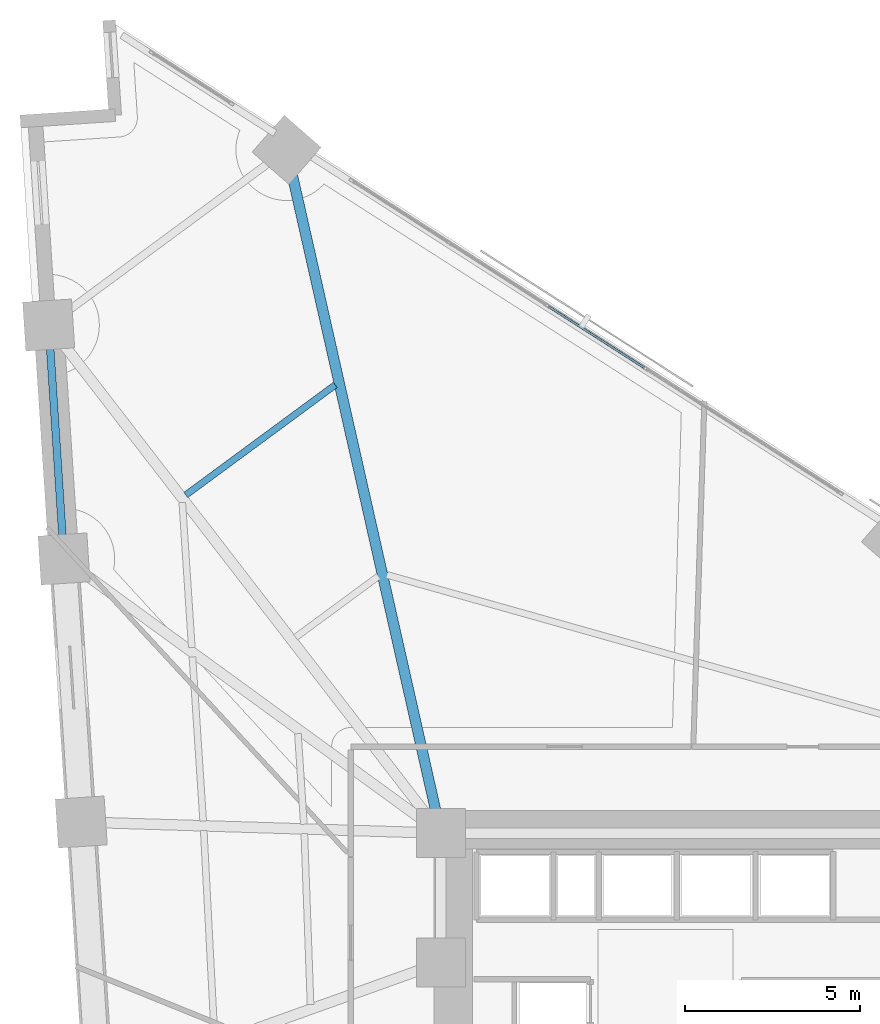
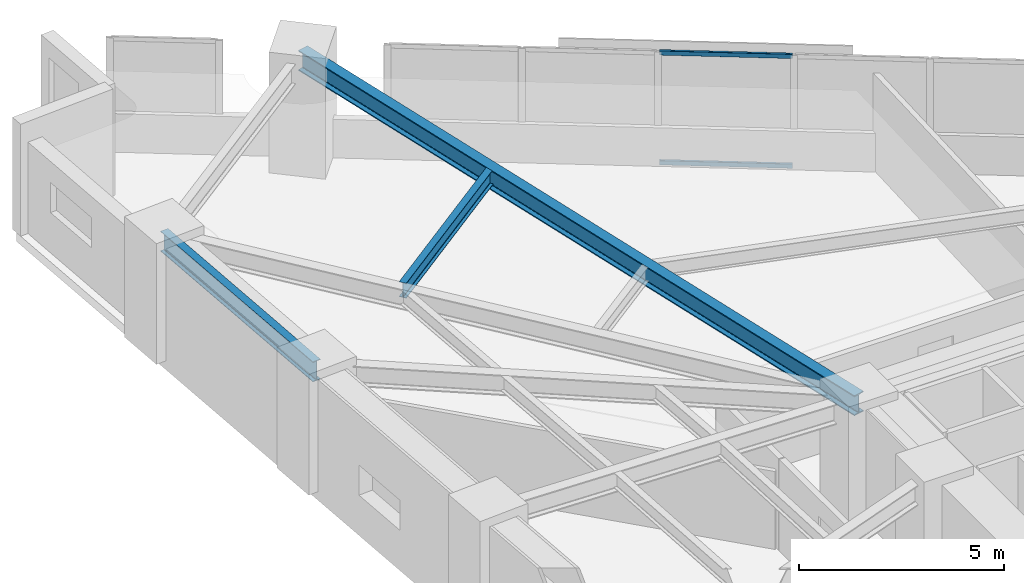
# One storey, part 8 of 16: 3 beams, 2 members, 1 element without a shape of its own.
"""IFC4 building model written with IfcOpenShell, lengths in metres."""

from ifc_helpers import new_model, si_unit, direction, frame, origin, origin_2d, place, context, subcontext, project, spatial, hollow_rectangle, i_section, extrude, material, material_profile, profile_set, type_object, element, aggregate, save


model = new_model("IFC4")

# Units and contexts
model_context = context("Model", 3, precision=1e-05, world=origin(), true_north=direction((0.0, 1.0)))
body_context = subcontext(model_context, "Body", "Model", "MODEL_VIEW")
ifc_project = project(units=[si_unit("LENGTHUNIT", "METRE"), si_unit("AREAUNIT", "SQUARE_METRE"), si_unit("VOLUMEUNIT", "CUBIC_METRE"), si_unit("PLANEANGLEUNIT", "RADIAN"), si_unit("MASSUNIT", "GRAM", prefix="KILO")], contexts=[model_context])

# Site, building, storey
site_placement = place(None, origin())
site = spatial("IfcSite", under=ifc_project, at=site_placement, CompositionType="ELEMENT")
building_placement = place(site_placement, origin())
building = spatial("IfcBuilding", under=site, at=building_placement, Name="Narakoshi Arena Tower", CompositionType="ELEMENT")
storey_placement = place(building_placement, frame((0.0, 0.0, 84.89990234375)))
storey = spatial("IfcBuildingStorey", under=building, at=storey_placement, Name="L22", CompositionType="ELEMENT", Elevation=84.89990234375)

# Beams
ifc_material_1 = material(Name="Structural steel S355J2", Category="steel")
ifc_material_profile_1 = material_profile(ifc_material_1, i_section(OverallWidth=0.219970703125, OverallDepth=0.60009765625, WebThickness=0.011962890625, FlangeThickness=0.01904296875, FilletRadius=0.02392578125, at=origin_2d()), Name="IPE600")
ifc_profile_set_1 = profile_set([ifc_material_profile_1], Name="Structural steel S355J2")
beam_type_1 = type_object("IfcBeamType", Name="BM-EDGE-600", PredefinedType="BEAM", material=ifc_profile_set_1)
beam_1_placement = place(storey_placement, frame((60.785400390625, 71.031005859375, 3.0400390625), z_axis=(0.065421350693, -0.997857728774, 0.0), x_axis=(0.997857728774, 0.065421350693, 0.0)))
element("IfcBeam", 1, at=beam_1_placement, inside=storey, type_object=beam_type_1, Name="L22 Perimeter Edge Girder 12", PredefinedType="BEAM", context=body_context, shape_type="SweptSolid", body=[
    extrude(i_section(OverallWidth=0.219970703125, OverallDepth=0.60009765625, WebThickness=0.011962890625, FlangeThickness=0.01904296875, FilletRadius=0.02392578125, at=origin_2d()), origin(), (0.0, 0.0, 1.0), 6.702392578125),
])
ifc_material_profile_2 = material_profile(ifc_material_1, i_section(OverallWidth=0.300048828125, OverallDepth=0.60009765625, WebThickness=0.015380859375, FlangeThickness=0.030029296875, FilletRadius=0.027099609375, at=origin_2d()), Name="HE600B")
ifc_profile_set_2 = profile_set([ifc_material_profile_2], Name="Structural steel S355J2")
beam_type_2 = type_object("IfcBeamType", Name="BM-PRI-600", PredefinedType="BEAM", material=ifc_profile_set_2)
beam_2_placement = place(storey_placement, frame((72.0, 56.5, 3.0400390625), z_axis=(-0.220123978285, 0.975471903329, 0.0), x_axis=(-0.975471903329, -0.220123978285, 0.0)))
element("IfcBeam", 2, at=beam_2_placement, inside=storey, type_object=beam_type_2, Name="L22 Radial Primary Floor Girder 11", PredefinedType="BEAM", context=body_context, shape_type="SweptSolid", body=[
    extrude(i_section(OverallWidth=0.300048828125, OverallDepth=0.60009765625, WebThickness=0.015380859375, FlangeThickness=0.030029296875, FilletRadius=0.027099609375, at=origin_2d()), origin(), (0.0, 0.0, 1.0), 20.034912109375),
])
ifc_material_profile_3 = material_profile(ifc_material_1, i_section(OverallWidth=0.18994140625, OverallDepth=0.449951171875, WebThickness=0.009521484375, FlangeThickness=0.0146484375, FilletRadius=0.02099609375, at=origin_2d()), Name="IPE450")
ifc_profile_set_3 = profile_set([ifc_material_profile_3], Name="Structural steel S355J2")
beam_type_3 = type_object("IfcBeamType", Name="BM-SEC-450", PredefinedType="JOIST", material=ifc_profile_set_3)
beam_3_placement = place(storey_placement, frame((68.980712890625, 69.318603515625, 3.114990234375), z_axis=(-0.805130974255, -0.593097053015, 0.0), x_axis=(0.593097053015, -0.805130974255, 0.0)))
element("IfcBeam", 3, at=beam_3_placement, inside=storey, type_object=beam_type_3, Name="L22 Composite Secondary Floor Joist 11", PredefinedType="JOIST", context=body_context, shape_type="SweptSolid", body=[
    extrude(i_section(OverallWidth=0.18994140625, OverallDepth=0.449951171875, WebThickness=0.009521484375, FlangeThickness=0.0146484375, FilletRadius=0.02099609375, at=origin_2d()), origin(), (0.0, 0.0, 1.0), 5.30810546875),
])

# Curtain wall, members
ifc_material_2 = material(Name="Anodised bronze aluminium 6063-T6", Category="aluminium")
curtain_wall_type = type_object("IfcCurtainWallType", Name="CW-HYP-LOW", PredefinedType="NOTDEFINED", material=ifc_material_2)
curtain_wall_placement = place(storey_placement, origin())
curtain_wall = element("IfcCurtainWall", 4, at=curtain_wall_placement, inside=storey, type_object=curtain_wall_type, Name="L22 Folded Hypotenuse Curtain Wall 2-2", PredefinedType="NOTDEFINED")
ifc_material_profile_4 = material_profile(ifc_material_2, hollow_rectangle(XDim=0.06494140625, YDim=0.1298828125, WallThickness=0.00390625, OuterFilletRadius=0.0048828125, at=origin_2d()), Name="TRN130x65x4")
ifc_profile_set_4 = profile_set([ifc_material_profile_4], Name="Anodised bronze aluminium 6063-T6")
member_type = type_object("IfcMemberType", Name="MEM-TRN-130", PredefinedType="USERDEFINED", material=ifc_profile_set_4)
member_1_placement = place(storey_placement, frame((77.81201171875, 69.813720703125, 0.03271484375), z_axis=(-0.842407668774, 0.5388407182, 0.0), x_axis=(-0.5388407182, -0.842407668774, 0.0)))
member_1 = element("IfcMember", 5, at=member_1_placement, type_object=member_type, Name="CW-01 transom 3.1", ObjectType="TRANSOM", PredefinedType="USERDEFINED", context=body_context, shape_type="SweptSolid", body=[
    extrude(hollow_rectangle(XDim=0.06494140625, YDim=0.1298828125, WallThickness=0.00390625, OuterFilletRadius=0.0048828125, at=origin_2d()), origin(), (0.0, 0.0, 1.0), 3.253173828125),
])
member_2_placement = place(storey_placement, frame((77.81201171875, 69.813720703125, 3.3076171875), z_axis=(-0.842407668774, 0.5388407182, 0.0), x_axis=(-0.5388407182, -0.842407668774, 0.0)))
member_2 = element("IfcMember", 6, at=member_2_placement, type_object=member_type, Name="CW-01 transom 3.2", ObjectType="TRANSOM", PredefinedType="USERDEFINED", context=body_context, shape_type="SweptSolid", body=[
    extrude(hollow_rectangle(XDim=0.06494140625, YDim=0.1298828125, WallThickness=0.00390625, OuterFilletRadius=0.0048828125, at=origin_2d()), origin(), (0.0, 0.0, 1.0), 3.253173828125),
])
aggregate(curtain_wall, [member_1, member_2])

save(model, "model.ifc")
